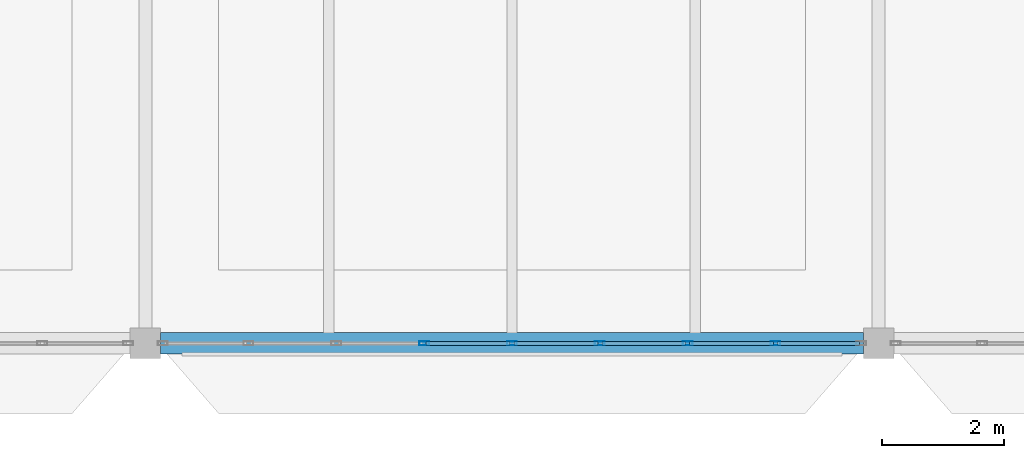
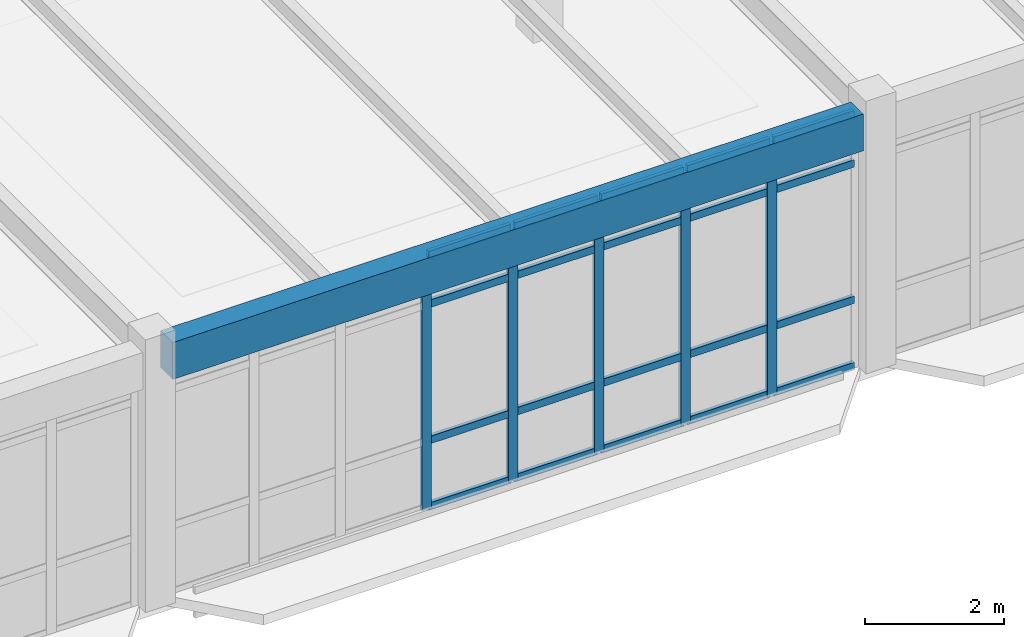
# One storey, part 13 of 236: 25 members, 1 beam, 1 element without a shape of its own.
"""IFC4 building model written with IfcOpenShell, lengths in metres."""

import ifcopenshell
import ifcopenshell.guid

model = None  # the IFC model being written
_history = None  # IfcOwnerHistory: only IFC2X3 demands one
_inside = {}  # id of a spatial element -> (the spatial element, [elements in it])
_under = {}  # id of a project, library or spatial element -> (it, [spatial elements below it])
_declared = {}  # id of a project -> (the project, [libraries it declares])
_typed = {}  # id of a type object -> (the type object, [elements of that type])
_made_of = {}  # id of a material, layer set ... -> (it, [elements and type objects made of it])


def new_model(schema):
    """Start an empty IFC model of exactly this schema.

    Asked for "IFC4X3", IfcOpenShell would pick the latest addendum, in which some entities
    have other attributes; the version numbers below select the first issue.
    IFC2X3 requires an IfcOwnerHistory on every rooted entity: one is made here for all.
    """
    global model, _history
    if schema == "IFC4X3":
        model = ifcopenshell.file(schema_version=(4, 3, 0, 0))
    else:
        model = ifcopenshell.file(schema=schema)
    _inside.clear()
    _under.clear()
    _declared.clear()
    _typed.clear()
    _made_of.clear()
    _history = None
    if model.schema == "IFC2X3":
        org = make("IfcOrganization", Name="unknown")
        user = make(
            "IfcPersonAndOrganization",
            ThePerson=make("IfcPerson", FamilyName="unknown"),
            TheOrganization=org,
        )
        app = make(
            "IfcApplication",
            ApplicationDeveloper=org,
            Version="unknown",
            ApplicationFullName="unknown",
            ApplicationIdentifier="unknown",
        )
        _history = make(
            "IfcOwnerHistory",
            OwningUser=user,
            OwningApplication=app,
            ChangeAction="ADDED",
            CreationDate=0,
        )
    return model


def make(cls, **values):
    """One entity of the class cls with the attributes given. An attribute that is None is left unset."""
    return model.create_entity(
        cls, **{name: value for name, value in values.items() if value is not None}
    )


def rooted(cls, **values):
    """An entity with a GlobalId (a new one), such as an element, a storey or a relation."""
    return make(cls, GlobalId=ifcopenshell.guid.new(), OwnerHistory=_history, **values)


def si_unit(unit_type, name, prefix=None):
    """IfcSIUnit, for example si_unit("LENGTHUNIT", "METRE", prefix="MILLI")."""
    return make("IfcSIUnit", UnitType=unit_type, Prefix=prefix, Name=name)


def assignment(units):
    """IfcUnitAssignment: the units of a project."""
    return None if units is None else make("IfcUnitAssignment", Units=units)


def point(xyz):
    """IfcCartesianPoint."""
    return None if xyz is None else make("IfcCartesianPoint", Coordinates=xyz)


def direction(xyz):
    """IfcDirection."""
    return None if xyz is None else make("IfcDirection", DirectionRatios=xyz)


def frame(location, z_axis=None, x_axis=None):
    """IfcAxis2Placement3D, a coordinate frame: its origin and axes. An axis left out is left unset."""
    return make(
        "IfcAxis2Placement3D",
        Location=point(location),
        Axis=direction(z_axis),
        RefDirection=direction(x_axis),
    )


def frame_2d(location, x_axis=None):
    """IfcAxis2Placement2D, a coordinate frame in the plane: its origin and x axis."""
    return make(
        "IfcAxis2Placement2D", Location=point(location), RefDirection=direction(x_axis)
    )


def origin():
    """The frame at (0, 0, 0) with its axes left unset."""
    return frame((0.0, 0.0, 0.0))


def origin_2d():
    """The frame at (0, 0) in the plane with its x axis left unset."""
    return frame_2d((0.0, 0.0))


def place(relative_to, where):
    """IfcLocalPlacement: puts the frame where relative to a parent placement (None: the world)."""
    return make(
        "IfcLocalPlacement", PlacementRelTo=relative_to, RelativePlacement=where
    )


def context(
    kind, dimensions, precision=None, world=None, true_north=None, identifier=None
):
    """IfcGeometricRepresentationContext, for example the 3D "Model" context."""
    return make(
        "IfcGeometricRepresentationContext",
        ContextIdentifier=identifier,
        ContextType=kind,
        CoordinateSpaceDimension=dimensions,
        Precision=precision,
        WorldCoordinateSystem=world,
        TrueNorth=true_north,
    )


def subcontext(parent, identifier, kind, view, scale=None):
    """IfcGeometricRepresentationSubContext, for example "Body" below "Model"."""
    return make(
        "IfcGeometricRepresentationSubContext",
        ContextIdentifier=identifier,
        ContextType=kind,
        ParentContext=parent,
        TargetScale=scale,
        TargetView=view,
    )


def project(units=None, contexts=None):
    """IfcProject with its units and contexts."""
    return rooted(
        "IfcProject",
        Name="project",
        RepresentationContexts=contexts,
        UnitsInContext=assignment(units),
    )


def spatial(cls, under=None, at=None, **own):
    """A site, building, storey or space (cls), placed at a placement, below another one or the project."""
    s = rooted(cls, ObjectPlacement=at, **own)
    if under is not None:
        _under.setdefault(under.id(), (under, []))[1].append(s)
    return s


def profile(cls, at=None, kind="AREA", **sizes):
    """A parametric profile (cls). Its sizes go by their IFC names, for example OverallWidth=200.0."""
    return make(cls, ProfileType=kind, Position=at, **sizes)


def rectangle(**sizes):
    """IfcRectangleProfileDef."""
    return profile("IfcRectangleProfileDef", **sizes)


def hollow_rectangle(**sizes):
    """IfcRectangleHollowProfileDef."""
    return profile("IfcRectangleHollowProfileDef", **sizes)


def extrude(swept, where, along, depth):
    """IfcExtrudedAreaSolid: the profile swept, set in the frame where, extruded along a direction by depth."""
    return make(
        "IfcExtrudedAreaSolid",
        SweptArea=swept,
        Position=where,
        ExtrudedDirection=direction(along),
        Depth=depth,
    )


def shape(context_of_items, identifier, shape_type, items):
    """IfcShapeRepresentation: the items that make up one representation, for example the "Body"."""
    return make(
        "IfcShapeRepresentation",
        ContextOfItems=context_of_items,
        RepresentationIdentifier=identifier,
        RepresentationType=shape_type,
        Items=items,
    )


def material(Name=None, Category=None):
    """IfcMaterial."""
    return make("IfcMaterial", Name=Name, Category=Category)


def layer(
    of_material, thickness, ventilated=None, Name=None, Category=None, Priority=None
):
    """IfcMaterialLayer: one layer of a wall or slab, of a material (None: an air gap)."""
    return make(
        "IfcMaterialLayer",
        Material=of_material,
        LayerThickness=thickness,
        IsVentilated=ventilated,
        Name=Name,
        Category=Category,
        Priority=Priority,
    )


def layer_set(layers, Name=None):
    """IfcMaterialLayerSet."""
    return make("IfcMaterialLayerSet", MaterialLayers=layers, LayerSetName=Name)


def material_profile(
    of_material, cross_section, Name=None, Category=None, Priority=None
):
    """IfcMaterialProfile: a cross section and its material."""
    return make(
        "IfcMaterialProfile",
        Name=Name,
        Material=of_material,
        Profile=cross_section,
        Priority=Priority,
        Category=Category,
    )


def profile_set(profiles, Name=None, composite=None):
    """IfcMaterialProfileSet."""
    return make(
        "IfcMaterialProfileSet",
        Name=Name,
        MaterialProfiles=profiles,
        CompositeProfile=composite,
    )


def made_of(thing, what):
    """Note that an element or type object is made of a material, layer set ...; save() writes the relation."""
    if what is not None:
        _made_of.setdefault(what.id(), (what, []))[1].append(thing)
    return thing


def type_object(cls, material=None, **own):
    """A type object (cls), such as IfcWallType, which elements share."""
    return made_of(rooted(cls, **own), material)


def element(
    cls,
    number,
    at=None,
    inside=None,
    cuts=None,
    type_object=None,
    material=None,
    context=None,
    identifier="Body",
    shape_type=None,
    held_by="IfcProductDefinitionShape",
    body=None,
    shapes=None,
    **own,
):
    """One element of the class cls, such as IfcWall. Its Tag is "e" and its number.

    at: its placement. inside: the storey or other place that contains it. cuts: it is an
    opening in that element (IfcRelVoidsElement). A single representation is given by context,
    identifier, shape_type and body (its items); several are given by shapes. held_by: the class
    of the entity that holds the representations. save() writes the other relations.
    """
    e = rooted(cls, Tag="e%d" % number, ObjectPlacement=at, **own)
    if body is not None:
        shapes = [shape(context, identifier, shape_type, body)]
    if shapes is not None:
        e.Representation = make(held_by, Representations=shapes)
    if inside is not None:
        _inside.setdefault(inside.id(), (inside, []))[1].append(e)
    if cuts is not None:
        rooted(
            "IfcRelVoidsElement", RelatingBuildingElement=cuts, RelatedOpeningElement=e
        )
    if type_object is not None:
        _typed.setdefault(type_object.id(), (type_object, []))[1].append(e)
    return made_of(e, material)


def aggregate(whole, parts):
    """IfcRelAggregates: a whole, such as a stair, and the parts it consists of."""
    return rooted("IfcRelAggregates", RelatingObject=whole, RelatedObjects=parts)


def save(model, path):
    """Write the relations noted so far, then the file.

    IfcRelAggregates (storeys below a building ...), IfcRelContainedInSpatialStructure (elements
    in a storey), IfcRelDefinesByType, IfcRelAssociatesMaterial and IfcRelDeclares: one each for
    every whole, place, type object, material and project.
    """
    for whole, parts in _under.values():
        aggregate(whole, parts)
    for where, things in _inside.values():
        rooted(
            "IfcRelContainedInSpatialStructure",
            RelatedElements=things,
            RelatingStructure=where,
        )
    for kind, things in _typed.values():
        rooted("IfcRelDefinesByType", RelatedObjects=things, RelatingType=kind)
    for what, things in _made_of.values():
        rooted("IfcRelAssociatesMaterial", RelatedObjects=things, RelatingMaterial=what)
    for by, libraries in _declared.values():
        rooted("IfcRelDeclares", RelatingContext=by, RelatedDefinitions=libraries)
    model.write(path)


model = new_model("IFC4")

# Units and contexts
model_context = context("Model", 3, precision=1e-05, world=origin(), true_north=direction((0.0, 1.0)))
body_context = subcontext(model_context, "Body", "Model", "MODEL_VIEW")
ifc_project = project(units=[si_unit("LENGTHUNIT", "METRE"), si_unit("AREAUNIT", "SQUARE_METRE"), si_unit("VOLUMEUNIT", "CUBIC_METRE"), si_unit("PLANEANGLEUNIT", "RADIAN"), si_unit("MASSUNIT", "GRAM", prefix="KILO")], contexts=[model_context])

# Site, building, storey
site_placement = place(None, origin())
site = spatial("IfcSite", under=ifc_project, at=site_placement, CompositionType="ELEMENT")
building_placement = place(site_placement, origin())
building = spatial("IfcBuilding", under=site, at=building_placement, Name="Pandanus Reach Market Hall", CompositionType="ELEMENT")
storey_placement = place(building_placement, frame((0.0, 0.0, 5.39990234375)))
storey = spatial("IfcBuildingStorey", under=building, at=storey_placement, Name="L01", CompositionType="ELEMENT", Elevation=5.39990234375)

# Beam
ifc_material_1 = material(Name="Concrete N40 (40 MPa)", Category="concrete")
ifc_material_profile_1 = material_profile(ifc_material_1, rectangle(XDim=0.35009765625, YDim=0.64990234375, at=origin_2d()), Name="RC350x650", Category="LoadBearing")
ifc_profile_set_1 = profile_set([ifc_material_profile_1], Name="Concrete N40 (40 MPa)")
beam_type = type_object("IfcBeamType", Name="BM-RC350-E", PredefinedType="SPANDREL", material=ifc_profile_set_1)
beam_placement = place(storey_placement, frame((12.248046875, 0.0, 4.210205078125), z_axis=(1.0, 0.0, 0.0), x_axis=(0.0, 1.0, 0.0)))
element("IfcBeam", 1, at=beam_placement, inside=storey, type_object=beam_type, Name="Framing beam BM-RC350-E L01.967", PredefinedType="SPANDREL", context=body_context, shape_type="SweptSolid", body=[
    extrude(rectangle(XDim=0.35009765625, YDim=0.64990234375, at=origin_2d()), origin(), (0.0, 0.0, 1.0), 11.50390625),
])

# Curtain wall, members
ifc_material_2 = material(Name="Bronze anodised aluminium and low-E glass", Category="aluminium")
ifc_layer = layer(ifc_material_2, 0.159912109375, Name="CW-15")
ifc_layer_set = layer_set([ifc_layer], Name="Bronze anodised aluminium and low-E glass")
curtain_wall_type = type_object("IfcCurtainWallType", Name="CW-15", PredefinedType="NOTDEFINED", material=ifc_layer_set)
curtain_wall_placement = place(storey_placement, origin())
curtain_wall = element("IfcCurtainWall", 2, at=curtain_wall_placement, inside=storey, type_object=curtain_wall_type, Name="Glazed curtain wall CW-15 CW-0055", PredefinedType="NOTDEFINED")
ifc_material_3 = material(Name="Bronze anodised aluminium", Category="aluminium")
ifc_material_profile_2 = material_profile(ifc_material_3, hollow_rectangle(XDim=0.06494140625, YDim=0.159912109375, WallThickness=0.00390625, at=origin_2d()), Name="ALU65x160", Category="LoadBearing")
ifc_profile_set_2 = profile_set([ifc_material_profile_2], Name="Bronze anodised aluminium")
member_type_1 = type_object("IfcMemberType", Name="CW-M1", PredefinedType="MULLION", material=ifc_profile_set_2)
member_1_placement = place(storey_placement, frame((16.5625, 0.0, 0.0), z_axis=(0.0, 0.0, 1.0), x_axis=(0.0, 1.0, 0.0)))
member_1 = element("IfcMember", 3, at=member_1_placement, type_object=member_type_1, Name="CW-15 mullion 4", PredefinedType="MULLION", context=body_context, shape_type="SweptSolid", body=[
    extrude(hollow_rectangle(XDim=0.06494140625, YDim=0.159912109375, WallThickness=0.00390625, at=origin_2d()), origin(), (0.0, 0.0, 1.0), 4.5),
])
member_2_placement = place(storey_placement, frame((18.0, 0.0, 0.0), z_axis=(0.0, 0.0, 1.0), x_axis=(0.0, 1.0, 0.0)))
member_2 = element("IfcMember", 4, at=member_2_placement, type_object=member_type_1, Name="CW-15 mullion 5", PredefinedType="MULLION", context=body_context, shape_type="SweptSolid", body=[
    extrude(hollow_rectangle(XDim=0.06494140625, YDim=0.159912109375, WallThickness=0.00390625, at=origin_2d()), origin(), (0.0, 0.0, 1.0), 4.5),
])
member_3_placement = place(storey_placement, frame((19.4375, 0.0, 0.0), z_axis=(0.0, 0.0, 1.0), x_axis=(0.0, 1.0, 0.0)))
member_3 = element("IfcMember", 5, at=member_3_placement, type_object=member_type_1, Name="CW-15 mullion 6", PredefinedType="MULLION", context=body_context, shape_type="SweptSolid", body=[
    extrude(hollow_rectangle(XDim=0.06494140625, YDim=0.159912109375, WallThickness=0.00390625, at=origin_2d()), origin(), (0.0, 0.0, 1.0), 4.5),
])
member_4_placement = place(storey_placement, frame((20.875, 0.0, 0.0), z_axis=(0.0, 0.0, 1.0), x_axis=(0.0, 1.0, 0.0)))
member_4 = element("IfcMember", 6, at=member_4_placement, type_object=member_type_1, Name="CW-15 mullion 7", PredefinedType="MULLION", context=body_context, shape_type="SweptSolid", body=[
    extrude(hollow_rectangle(XDim=0.06494140625, YDim=0.159912109375, WallThickness=0.00390625, at=origin_2d()), origin(), (0.0, 0.0, 1.0), 4.5),
])
member_5_placement = place(storey_placement, frame((22.3125, 0.0, 0.0), z_axis=(0.0, 0.0, 1.0), x_axis=(0.0, 1.0, 0.0)))
member_5 = element("IfcMember", 7, at=member_5_placement, type_object=member_type_1, Name="CW-15 mullion 8", PredefinedType="MULLION", context=body_context, shape_type="SweptSolid", body=[
    extrude(hollow_rectangle(XDim=0.06494140625, YDim=0.159912109375, WallThickness=0.00390625, at=origin_2d()), origin(), (0.0, 0.0, 1.0), 4.5),
])
ifc_material_profile_3 = material_profile(ifc_material_3, hollow_rectangle(XDim=0.06494140625, YDim=0.1298828125, WallThickness=0.00390625, at=origin_2d()), Name="ALU65x130", Category="LoadBearing")
ifc_profile_set_3 = profile_set([ifc_material_profile_3], Name="Bronze anodised aluminium")
member_type_2 = type_object("IfcMemberType", Name="CW-T1", PredefinedType="USERDEFINED", material=ifc_profile_set_3)
member_6_placement = place(storey_placement, frame((16.594970703125, 0.0, 0.03271484375), z_axis=(1.0, 0.0, 0.0), x_axis=(0.0, 1.0, 0.0)))
member_6 = element("IfcMember", 8, at=member_6_placement, type_object=member_type_2, Name="CW-15 transom 4.1", ObjectType="TRANSOM", PredefinedType="USERDEFINED", context=body_context, shape_type="SweptSolid", body=[
    extrude(hollow_rectangle(XDim=0.06494140625, YDim=0.1298828125, WallThickness=0.00390625, at=origin_2d()), origin(), (0.0, 0.0, 1.0), 1.37255859375),
])
member_7_placement = place(storey_placement, frame((16.594970703125, 0.0, 1.2001953125), z_axis=(1.0, 0.0, 0.0), x_axis=(0.0, 1.0, 0.0)))
member_7 = element("IfcMember", 9, at=member_7_placement, type_object=member_type_2, Name="CW-15 transom 4.2", ObjectType="TRANSOM", PredefinedType="USERDEFINED", context=body_context, shape_type="SweptSolid", body=[
    extrude(hollow_rectangle(XDim=0.06494140625, YDim=0.1298828125, WallThickness=0.00390625, at=origin_2d()), origin(), (0.0, 0.0, 1.0), 1.37255859375),
])
member_8_placement = place(storey_placement, frame((16.594970703125, 0.0, 3.60009765625), z_axis=(1.0, 0.0, 0.0), x_axis=(0.0, 1.0, 0.0)))
member_8 = element("IfcMember", 10, at=member_8_placement, type_object=member_type_2, Name="CW-15 transom 4.3", ObjectType="TRANSOM", PredefinedType="USERDEFINED", context=body_context, shape_type="SweptSolid", body=[
    extrude(hollow_rectangle(XDim=0.06494140625, YDim=0.1298828125, WallThickness=0.00390625, at=origin_2d()), origin(), (0.0, 0.0, 1.0), 1.37255859375),
])
member_9_placement = place(storey_placement, frame((16.594970703125, 0.0, 4.467529296875), z_axis=(1.0, 0.0, 0.0), x_axis=(0.0, 1.0, 0.0)))
member_9 = element("IfcMember", 11, at=member_9_placement, type_object=member_type_2, Name="CW-15 transom 4.4", ObjectType="TRANSOM", PredefinedType="USERDEFINED", context=body_context, shape_type="SweptSolid", body=[
    extrude(hollow_rectangle(XDim=0.06494140625, YDim=0.1298828125, WallThickness=0.00390625, at=origin_2d()), origin(), (0.0, 0.0, 1.0), 1.37255859375),
])
member_10_placement = place(storey_placement, frame((18.032470703125, 0.0, 0.03271484375), z_axis=(1.0, 0.0, 0.0), x_axis=(0.0, 1.0, 0.0)))
member_10 = element("IfcMember", 12, at=member_10_placement, type_object=member_type_2, Name="CW-15 transom 5.1", ObjectType="TRANSOM", PredefinedType="USERDEFINED", context=body_context, shape_type="SweptSolid", body=[
    extrude(hollow_rectangle(XDim=0.06494140625, YDim=0.1298828125, WallThickness=0.00390625, at=origin_2d()), origin(), (0.0, 0.0, 1.0), 1.37255859375),
])
member_11_placement = place(storey_placement, frame((18.032470703125, 0.0, 1.2001953125), z_axis=(1.0, 0.0, 0.0), x_axis=(0.0, 1.0, 0.0)))
member_11 = element("IfcMember", 13, at=member_11_placement, type_object=member_type_2, Name="CW-15 transom 5.2", ObjectType="TRANSOM", PredefinedType="USERDEFINED", context=body_context, shape_type="SweptSolid", body=[
    extrude(hollow_rectangle(XDim=0.06494140625, YDim=0.1298828125, WallThickness=0.00390625, at=origin_2d()), origin(), (0.0, 0.0, 1.0), 1.37255859375),
])
member_12_placement = place(storey_placement, frame((18.032470703125, 0.0, 3.60009765625), z_axis=(1.0, 0.0, 0.0), x_axis=(0.0, 1.0, 0.0)))
member_12 = element("IfcMember", 14, at=member_12_placement, type_object=member_type_2, Name="CW-15 transom 5.3", ObjectType="TRANSOM", PredefinedType="USERDEFINED", context=body_context, shape_type="SweptSolid", body=[
    extrude(hollow_rectangle(XDim=0.06494140625, YDim=0.1298828125, WallThickness=0.00390625, at=origin_2d()), origin(), (0.0, 0.0, 1.0), 1.37255859375),
])
member_13_placement = place(storey_placement, frame((18.032470703125, 0.0, 4.467529296875), z_axis=(1.0, 0.0, 0.0), x_axis=(0.0, 1.0, 0.0)))
member_13 = element("IfcMember", 15, at=member_13_placement, type_object=member_type_2, Name="CW-15 transom 5.4", ObjectType="TRANSOM", PredefinedType="USERDEFINED", context=body_context, shape_type="SweptSolid", body=[
    extrude(hollow_rectangle(XDim=0.06494140625, YDim=0.1298828125, WallThickness=0.00390625, at=origin_2d()), origin(), (0.0, 0.0, 1.0), 1.37255859375),
])
member_14_placement = place(storey_placement, frame((19.469970703125, 0.0, 0.03271484375), z_axis=(1.0, 0.0, 0.0), x_axis=(0.0, 1.0, 0.0)))
member_14 = element("IfcMember", 16, at=member_14_placement, type_object=member_type_2, Name="CW-15 transom 6.1", ObjectType="TRANSOM", PredefinedType="USERDEFINED", context=body_context, shape_type="SweptSolid", body=[
    extrude(hollow_rectangle(XDim=0.06494140625, YDim=0.1298828125, WallThickness=0.00390625, at=origin_2d()), origin(), (0.0, 0.0, 1.0), 1.37255859375),
])
member_15_placement = place(storey_placement, frame((19.469970703125, 0.0, 1.2001953125), z_axis=(1.0, 0.0, 0.0), x_axis=(0.0, 1.0, 0.0)))
member_15 = element("IfcMember", 17, at=member_15_placement, type_object=member_type_2, Name="CW-15 transom 6.2", ObjectType="TRANSOM", PredefinedType="USERDEFINED", context=body_context, shape_type="SweptSolid", body=[
    extrude(hollow_rectangle(XDim=0.06494140625, YDim=0.1298828125, WallThickness=0.00390625, at=origin_2d()), origin(), (0.0, 0.0, 1.0), 1.37255859375),
])
member_16_placement = place(storey_placement, frame((19.469970703125, 0.0, 3.60009765625), z_axis=(1.0, 0.0, 0.0), x_axis=(0.0, 1.0, 0.0)))
member_16 = element("IfcMember", 18, at=member_16_placement, type_object=member_type_2, Name="CW-15 transom 6.3", ObjectType="TRANSOM", PredefinedType="USERDEFINED", context=body_context, shape_type="SweptSolid", body=[
    extrude(hollow_rectangle(XDim=0.06494140625, YDim=0.1298828125, WallThickness=0.00390625, at=origin_2d()), origin(), (0.0, 0.0, 1.0), 1.37255859375),
])
member_17_placement = place(storey_placement, frame((19.469970703125, 0.0, 4.467529296875), z_axis=(1.0, 0.0, 0.0), x_axis=(0.0, 1.0, 0.0)))
member_17 = element("IfcMember", 19, at=member_17_placement, type_object=member_type_2, Name="CW-15 transom 6.4", ObjectType="TRANSOM", PredefinedType="USERDEFINED", context=body_context, shape_type="SweptSolid", body=[
    extrude(hollow_rectangle(XDim=0.06494140625, YDim=0.1298828125, WallThickness=0.00390625, at=origin_2d()), origin(), (0.0, 0.0, 1.0), 1.37255859375),
])
member_18_placement = place(storey_placement, frame((20.907470703125, 0.0, 0.03271484375), z_axis=(1.0, 0.0, 0.0), x_axis=(0.0, 1.0, 0.0)))
member_18 = element("IfcMember", 20, at=member_18_placement, type_object=member_type_2, Name="CW-15 transom 7.1", ObjectType="TRANSOM", PredefinedType="USERDEFINED", context=body_context, shape_type="SweptSolid", body=[
    extrude(hollow_rectangle(XDim=0.06494140625, YDim=0.1298828125, WallThickness=0.00390625, at=origin_2d()), origin(), (0.0, 0.0, 1.0), 1.37255859375),
])
member_19_placement = place(storey_placement, frame((20.907470703125, 0.0, 1.2001953125), z_axis=(1.0, 0.0, 0.0), x_axis=(0.0, 1.0, 0.0)))
member_19 = element("IfcMember", 21, at=member_19_placement, type_object=member_type_2, Name="CW-15 transom 7.2", ObjectType="TRANSOM", PredefinedType="USERDEFINED", context=body_context, shape_type="SweptSolid", body=[
    extrude(hollow_rectangle(XDim=0.06494140625, YDim=0.1298828125, WallThickness=0.00390625, at=origin_2d()), origin(), (0.0, 0.0, 1.0), 1.37255859375),
])
member_20_placement = place(storey_placement, frame((20.907470703125, 0.0, 3.60009765625), z_axis=(1.0, 0.0, 0.0), x_axis=(0.0, 1.0, 0.0)))
member_20 = element("IfcMember", 22, at=member_20_placement, type_object=member_type_2, Name="CW-15 transom 7.3", ObjectType="TRANSOM", PredefinedType="USERDEFINED", context=body_context, shape_type="SweptSolid", body=[
    extrude(hollow_rectangle(XDim=0.06494140625, YDim=0.1298828125, WallThickness=0.00390625, at=origin_2d()), origin(), (0.0, 0.0, 1.0), 1.37255859375),
])
member_21_placement = place(storey_placement, frame((20.907470703125, 0.0, 4.467529296875), z_axis=(1.0, 0.0, 0.0), x_axis=(0.0, 1.0, 0.0)))
member_21 = element("IfcMember", 23, at=member_21_placement, type_object=member_type_2, Name="CW-15 transom 7.4", ObjectType="TRANSOM", PredefinedType="USERDEFINED", context=body_context, shape_type="SweptSolid", body=[
    extrude(hollow_rectangle(XDim=0.06494140625, YDim=0.1298828125, WallThickness=0.00390625, at=origin_2d()), origin(), (0.0, 0.0, 1.0), 1.37255859375),
])
member_22_placement = place(storey_placement, frame((22.344970703125, 0.0, 0.03271484375), z_axis=(1.0, 0.0, 0.0), x_axis=(0.0, 1.0, 0.0)))
member_22 = element("IfcMember", 24, at=member_22_placement, type_object=member_type_2, Name="CW-15 transom 8.1", ObjectType="TRANSOM", PredefinedType="USERDEFINED", context=body_context, shape_type="SweptSolid", body=[
    extrude(hollow_rectangle(XDim=0.06494140625, YDim=0.1298828125, WallThickness=0.00390625, at=origin_2d()), origin(), (0.0, 0.0, 1.0), 1.340087890625),
])
member_23_placement = place(storey_placement, frame((22.344970703125, 0.0, 1.2001953125), z_axis=(1.0, 0.0, 0.0), x_axis=(0.0, 1.0, 0.0)))
member_23 = element("IfcMember", 25, at=member_23_placement, type_object=member_type_2, Name="CW-15 transom 8.2", ObjectType="TRANSOM", PredefinedType="USERDEFINED", context=body_context, shape_type="SweptSolid", body=[
    extrude(hollow_rectangle(XDim=0.06494140625, YDim=0.1298828125, WallThickness=0.00390625, at=origin_2d()), origin(), (0.0, 0.0, 1.0), 1.340087890625),
])
member_24_placement = place(storey_placement, frame((22.344970703125, 0.0, 3.60009765625), z_axis=(1.0, 0.0, 0.0), x_axis=(0.0, 1.0, 0.0)))
member_24 = element("IfcMember", 26, at=member_24_placement, type_object=member_type_2, Name="CW-15 transom 8.3", ObjectType="TRANSOM", PredefinedType="USERDEFINED", context=body_context, shape_type="SweptSolid", body=[
    extrude(hollow_rectangle(XDim=0.06494140625, YDim=0.1298828125, WallThickness=0.00390625, at=origin_2d()), origin(), (0.0, 0.0, 1.0), 1.340087890625),
])
member_25_placement = place(storey_placement, frame((22.344970703125, 0.0, 4.467529296875), z_axis=(1.0, 0.0, 0.0), x_axis=(0.0, 1.0, 0.0)))
member_25 = element("IfcMember", 27, at=member_25_placement, type_object=member_type_2, Name="CW-15 transom 8.4", ObjectType="TRANSOM", PredefinedType="USERDEFINED", context=body_context, shape_type="SweptSolid", body=[
    extrude(hollow_rectangle(XDim=0.06494140625, YDim=0.1298828125, WallThickness=0.00390625, at=origin_2d()), origin(), (0.0, 0.0, 1.0), 1.340087890625),
])
aggregate(curtain_wall, [member_1, member_2, member_3, member_4, member_5, member_6, member_7, member_8, member_9, member_10, member_11, member_12, member_13, member_14, member_15, member_16, member_17, member_18, member_19, member_20, member_21, member_22, member_23, member_24, member_25])

save(model, "model.ifc")
